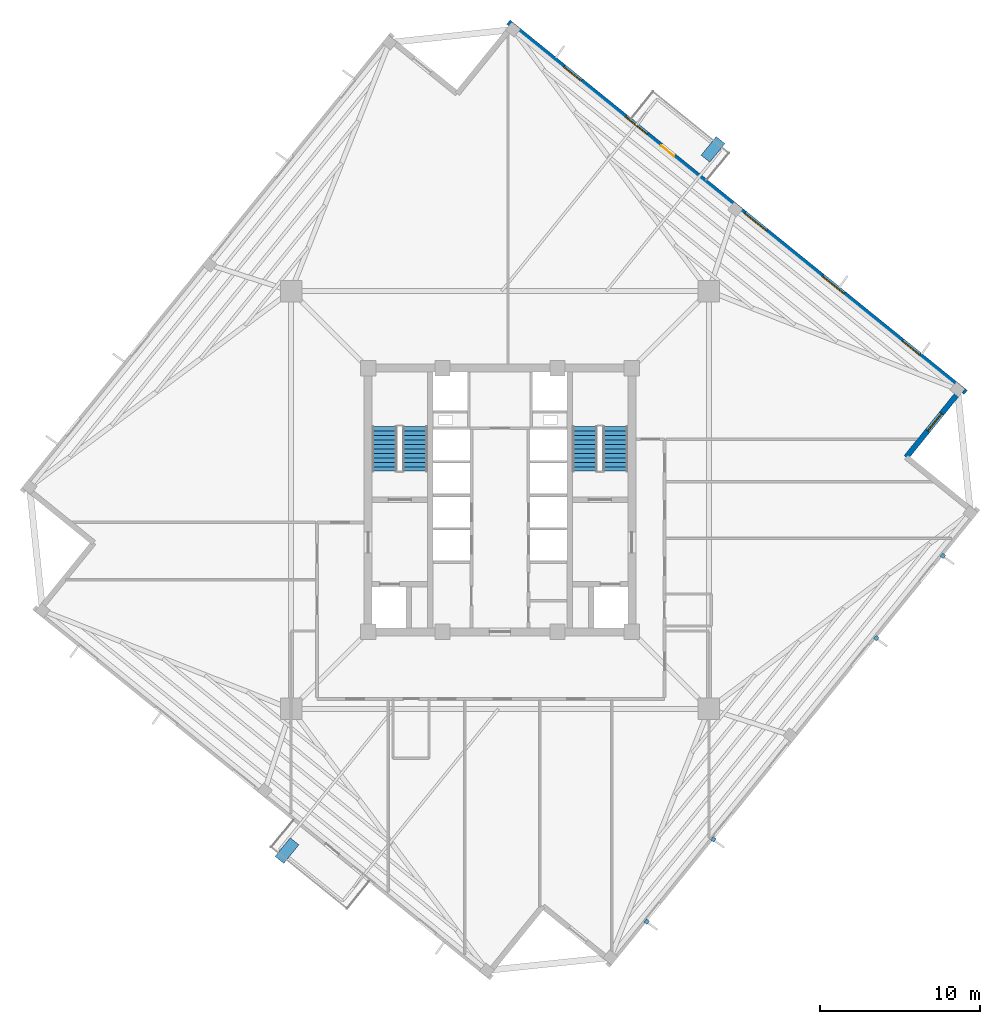
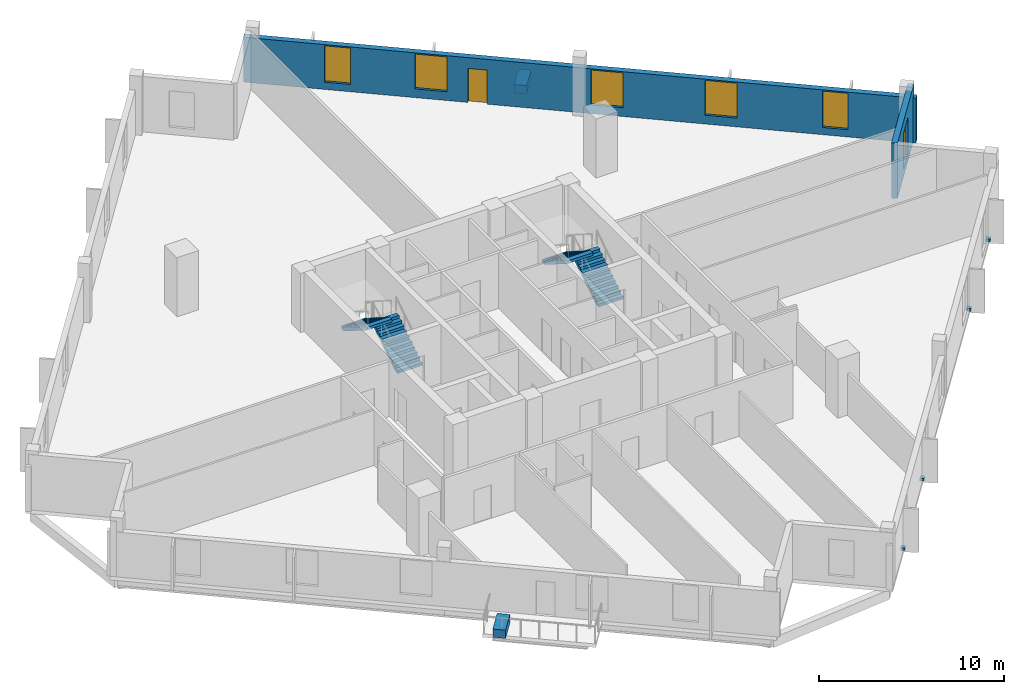
# One storey, part 6 of 10: 6 discrete accessories, 6 windows, 4 stair flights, 2 walls, 1 door, 7 openings, 2 elements without a shape of their own.
"""IFC4 building model written with IfcOpenShell, lengths in metres."""

from ifc_helpers import new_model, si_unit, direction, frame, frame_2d, origin, origin_2d, place, context, subcontext, project, spatial, polyline, rectangle, outline, extrude, source, transform, mapped, material, layer, layer_set, type_object, element, fill, aggregate, save


model = new_model("IFC4")

# Units and contexts
model_context = context("Model", 3, precision=1e-05, world=origin(), true_north=direction((0.0, 1.0)))
body_context = subcontext(model_context, "Body", "Model", "MODEL_VIEW")
ifc_project = project(units=[si_unit("LENGTHUNIT", "METRE"), si_unit("AREAUNIT", "SQUARE_METRE"), si_unit("VOLUMEUNIT", "CUBIC_METRE"), si_unit("PLANEANGLEUNIT", "RADIAN"), si_unit("MASSUNIT", "GRAM", prefix="KILO"), si_unit("THERMODYNAMICTEMPERATUREUNIT", "KELVIN")], contexts=[model_context])

# Site, building, storey
site_placement = place(None, origin())
site = spatial("IfcSite", under=ifc_project, at=site_placement, CompositionType="ELEMENT")
building_placement = place(site_placement, origin())
building = spatial("IfcBuilding", under=site, at=building_placement, Name="Kosmvard Interchange Tower", CompositionType="ELEMENT")
storey_placement = place(building_placement, frame((0.0, 0.0, 205.60009765625)))
storey = spatial("IfcBuildingStorey", under=building, at=storey_placement, Name="L49", CompositionType="ELEMENT", Elevation=205.60009765625)

# Wall, opening, window
ifc_material_1 = material(Name="Precast concrete C45/55", Category="concrete")
ifc_layer = layer(ifc_material_1, 0.340087890625, Name="Precast concrete C45/55")
ifc_layer_set = layer_set([ifc_layer], Name="Precast concrete C45/55")
wall_type = type_object("IfcWallType", Name="Mid Tower Precast Pier Wall 340 C45/55", PredefinedType="STANDARD", material=ifc_layer_set)
wall_1_placement = place(storey_placement, frame((25.428955078125, 2.672607421875, 0.0), z_axis=(0.0, 0.0, 1.0), x_axis=(0.629299794138, 0.777162640055, 0.0)))
wall_1 = element("IfcWall", 1, at=wall_1_placement, inside=storey, type_object=wall_type, Name="L49 Precast Facade Wall N-SE2", PredefinedType="STANDARD", context=body_context, shape_type="SweptSolid", body=[
    extrude(rectangle(XDim=5.669921875, YDim=0.340087890625, at=frame_2d((2.8349609375, 0.0))), origin(), (0.0, 0.0, 1.0), 3.659912109375),
])
opening_1_placement = place(wall_1_placement, frame((2.135009765625, 0.0, 0.47998046875)))
opening_1 = element("IfcOpeningElement", 2, at=opening_1_placement, cuts=wall_1, Name="Opening L49-W21", PredefinedType="OPENING", context=body_context, shape_type="SweptSolid", body=[
    extrude(rectangle(XDim=1.39990234375, YDim=2.39990234375, at=frame_2d((0.699951171875, 1.199951171875))), frame((0.0, 0.18017578125, 0.0), z_axis=(0.0, -1.0, 0.0), x_axis=(1.0, 0.0, 0.0)), (0.0, 0.0, 1.0), 0.360107421875),
])
ifc_material_2 = material(Name="Low-E solar-control double glazing", Category="glass")
window_type_1 = type_object("IfcWindowType", Name="Notched Corner Feature Window 1400x2400", PartitioningType="SINGLE_PANEL", PredefinedType="WINDOW", material=ifc_material_2)
shared_shape_1 = source(origin(), body_context, "Body", "SweptSolid", [
    extrude(rectangle(XDim=1.39990234375, YDim=2.39990234375, at=frame_2d((0.699951171875, 1.199951171875))), frame((0.0, 0.030029296875, 0.0), z_axis=(0.0, -1.0, 0.0), x_axis=(1.0, 0.0, 0.0)), (0.0, 0.0, 1.0), 0.06005859375),
])
window_1_placement = place(opening_1_placement, origin())
window_1 = element("IfcWindow", 3, at=window_1_placement, inside=storey, type_object=window_type_1, Name="L49 Corner Notch Window 21", OverallHeight=2.39990234375, OverallWidth=1.39990234375, PartitioningType="SINGLE_PANEL", PredefinedType="WINDOW", context=body_context, shape_type="MappedRepresentation", body=[
    mapped(shared_shape_1, transform((0.0, 0.0, 0.0), scale=1.0)),
])
fill(opening_1, window_1)

# Wall, openings, door, windows
wall_2_placement = place(storey_placement, frame((29.154296875, 6.73291015625, 0.0), z_axis=(0.0, 0.0, 1.0), x_axis=(-0.77714192302, 0.629325378072, 0.0)))
wall_2 = element("IfcWall", 4, at=wall_2_placement, inside=storey, type_object=wall_type, Name="L49 Precast Facade Wall F-E", PredefinedType="STANDARD", context=body_context, shape_type="SweptSolid", body=[
    extrude(rectangle(XDim=36.840087890625, YDim=0.340087890625, at=frame_2d((18.419921875, 0.0))), origin(), (0.0, 0.0, 1.0), 2.9599609375),
])
opening_2_placement = place(wall_2_placement, frame((23.4951171875, 0.0, 0.0)))
opening_2 = element("IfcOpeningElement", 5, at=opening_2_placement, cuts=wall_2, Name="Opening L49-BDE", PredefinedType="OPENING", context=body_context, shape_type="SweptSolid", body=[
    extrude(rectangle(XDim=1.050048828125, YDim=2.25, at=frame_2d((0.52490234375, 1.125))), frame((0.0, 0.18017578125, 0.0), z_axis=(0.0, -1.0, 0.0), x_axis=(1.0, 0.0, 0.0)), (0.0, 0.0, 1.0), 0.360107421875),
])
opening_3_placement = place(wall_2_placement, frame((3.720703125, 0.0, 0.47998046875)))
opening_3 = element("IfcOpeningElement", 6, at=opening_3_placement, cuts=wall_2, Name="Opening L49-W06", PredefinedType="OPENING", context=body_context, shape_type="SweptSolid", body=[
    extrude(rectangle(XDim=1.39990234375, YDim=2.39990234375, at=frame_2d((0.699951171875, 1.199951171875))), frame((0.0, 0.18017578125, 0.0), z_axis=(0.0, -1.0, 0.0), x_axis=(1.0, 0.0, 0.0)), (0.0, 0.0, 1.0), 0.360107421875),
])
opening_4_placement = place(wall_2_placement, frame((9.80859375, 0.0, 0.580078125)))
opening_4 = element("IfcOpeningElement", 7, at=opening_4_placement, cuts=wall_2, Name="Opening L49-W07", PredefinedType="OPENING", context=body_context, shape_type="SweptSolid", body=[
    extrude(rectangle(XDim=1.75, YDim=2.300048828125, at=frame_2d((0.875, 1.14990234375))), frame((0.0, 0.18017578125, 0.0), z_axis=(0.0, -1.0, 0.0), x_axis=(1.0, 0.0, 0.0)), (0.0, 0.0, 1.0), 0.360107421875),
])
opening_5_placement = place(wall_2_placement, frame((16.05810546875, 0.0, 0.580078125)))
opening_5 = element("IfcOpeningElement", 8, at=opening_5_placement, cuts=wall_2, Name="Opening L49-W08", PredefinedType="OPENING", context=body_context, shape_type="SweptSolid", body=[
    extrude(rectangle(XDim=1.75, YDim=2.300048828125, at=frame_2d((0.875, 1.14990234375))), frame((0.0, 0.18017578125, 0.0), z_axis=(0.0, -1.0, 0.0), x_axis=(1.0, 0.0, 0.0)), (0.0, 0.0, 1.0), 0.360107421875),
])
opening_6_placement = place(wall_2_placement, frame((25.67626953125, 0.0, 0.580078125)))
opening_6 = element("IfcOpeningElement", 9, at=opening_6_placement, cuts=wall_2, Name="Opening L49-W09", PredefinedType="OPENING", context=body_context, shape_type="SweptSolid", body=[
    extrude(rectangle(XDim=1.75, YDim=2.300048828125, at=frame_2d((0.875, 1.14990234375))), frame((0.0, 0.18017578125, 0.0), z_axis=(0.0, -1.0, 0.0), x_axis=(1.0, 0.0, 0.0)), (0.0, 0.0, 1.0), 0.360107421875),
])
opening_7_placement = place(wall_2_placement, frame((30.982421875, 0.0, 0.47998046875)))
opening_7 = element("IfcOpeningElement", 10, at=opening_7_placement, cuts=wall_2, Name="Opening L49-W10", PredefinedType="OPENING", context=body_context, shape_type="SweptSolid", body=[
    extrude(rectangle(XDim=1.39990234375, YDim=2.39990234375, at=frame_2d((0.699951171875, 1.199951171875))), frame((0.0, 0.18017578125, 0.0), z_axis=(0.0, -1.0, 0.0), x_axis=(1.0, 0.0, 0.0)), (0.0, 0.0, 1.0), 0.360107421875),
])
ifc_material_3 = material(Name="Anodised aluminium and safety glass", Category="aluminium")
door_type = type_object("IfcDoorType", Name="Tree-Balcony Glazed Door 1050x2250", OperationType="NOTDEFINED", PredefinedType="DOOR", material=ifc_material_3)
shared_shape_2 = source(origin(), body_context, "Body", "SweptSolid", [
    extrude(rectangle(XDim=1.050048828125, YDim=2.25, at=frame_2d((0.52490234375, 1.125))), frame((0.0, 0.02490234375, 0.0), z_axis=(0.0, -1.0, 0.0), x_axis=(1.0, 0.0, 0.0)), (0.0, 0.0, 1.0), 0.050048828125),
])
door_placement = place(opening_2_placement, origin())
door = element("IfcDoor", 11, at=door_placement, inside=storey, type_object=door_type, Name="L49 Tree-Balcony Door BAL-L49-E", OperationType="SINGLE_SWING_RIGHT", OverallHeight=2.25, OverallWidth=1.050048828125, PredefinedType="DOOR", context=body_context, shape_type="MappedRepresentation", body=[
    mapped(shared_shape_2, transform((0.0, 0.0, 0.0), scale=1.0)),
])
fill(opening_2, door)
window_2_placement = place(opening_3_placement, origin())
window_2 = element("IfcWindow", 12, at=window_2_placement, inside=storey, type_object=window_type_1, Name="L49 Facade Punched Window 06", OverallHeight=2.39990234375, OverallWidth=1.39990234375, PartitioningType="SINGLE_PANEL", PredefinedType="WINDOW", context=body_context, shape_type="MappedRepresentation", body=[
    mapped(shared_shape_1, transform((0.0, 0.0, 0.0), scale=1.0)),
])
fill(opening_3, window_2)
window_3_placement = place(opening_7_placement, origin())
window_3 = element("IfcWindow", 13, at=window_3_placement, inside=storey, type_object=window_type_1, Name="L49 Facade Punched Window 10", OverallHeight=2.39990234375, OverallWidth=1.39990234375, PartitioningType="SINGLE_PANEL", PredefinedType="WINDOW", context=body_context, shape_type="MappedRepresentation", body=[
    mapped(shared_shape_1, transform((0.0, 0.0, 0.0), scale=1.0)),
])
fill(opening_7, window_3)
window_type_2 = type_object("IfcWindowType", Name="Zone 4 Suite Punched Window 1750x2300", PartitioningType="SINGLE_PANEL", PredefinedType="WINDOW", material=ifc_material_2)
shared_shape_3 = source(origin(), body_context, "Body", "SweptSolid", [
    extrude(rectangle(XDim=1.75, YDim=2.300048828125, at=frame_2d((0.875, 1.14990234375))), frame((0.0, 0.030029296875, 0.0), z_axis=(0.0, -1.0, 0.0), x_axis=(1.0, 0.0, 0.0)), (0.0, 0.0, 1.0), 0.06005859375),
])
window_4_placement = place(opening_4_placement, origin())
window_4 = element("IfcWindow", 14, at=window_4_placement, inside=storey, type_object=window_type_2, Name="L49 Facade Punched Window 07", OverallHeight=2.300048828125, OverallWidth=1.75, PartitioningType="SINGLE_PANEL", PredefinedType="WINDOW", context=body_context, shape_type="MappedRepresentation", body=[
    mapped(shared_shape_3, transform((0.0, 0.0, 0.0), scale=1.0)),
])
fill(opening_4, window_4)
window_5_placement = place(opening_5_placement, origin())
window_5 = element("IfcWindow", 15, at=window_5_placement, inside=storey, type_object=window_type_2, Name="L49 Facade Punched Window 08", OverallHeight=2.300048828125, OverallWidth=1.75, PartitioningType="SINGLE_PANEL", PredefinedType="WINDOW", context=body_context, shape_type="MappedRepresentation", body=[
    mapped(shared_shape_3, transform((0.0, 0.0, 0.0), scale=1.0)),
])
fill(opening_5, window_5)
window_6_placement = place(opening_6_placement, origin())
window_6 = element("IfcWindow", 16, at=window_6_placement, inside=storey, type_object=window_type_2, Name="L49 Facade Punched Window 09", OverallHeight=2.300048828125, OverallWidth=1.75, PartitioningType="SINGLE_PANEL", PredefinedType="WINDOW", context=body_context, shape_type="MappedRepresentation", body=[
    mapped(shared_shape_3, transform((0.0, 0.0, 0.0), scale=1.0)),
])
fill(opening_6, window_6)

# Stair, stair flights
ifc_material_4 = material(Name="Concrete C50/60", Category="concrete")
stair_type = type_object("IfcStairType", Name="Dog-Leg Core Exit Stair H3900 C50/60", PredefinedType="HALF_TURN_STAIR", material=ifc_material_4)
stair_1_placement = place(storey_placement, origin())
stair_1 = element("IfcStair", 17, at=stair_1_placement, inside=storey, type_object=stair_type, Name="L49 Protected Exit Stair ST-1", PredefinedType="HALF_TURN_STAIR")
stair_flight_type = type_object("IfcStairFlightType", Name="Core Stair Flight W1550 H3900 C50/60", PredefinedType="STRAIGHT", material=ifc_material_4)
shared_shape_4 = source(origin(), body_context, "Body", "SweptSolid", [
    extrude(outline(polyline([(0.0, 0.0), (0.0, 0.17724609375), (0.280029296875, 0.17724609375), (0.280029296875, 0.3544921875), (0.56005859375, 0.3544921875), (0.56005859375, 0.53173828125), (0.840087890625, 0.53173828125), (0.840087890625, 0.708984375), (1.1201171875, 0.708984375), (1.1201171875, 0.886474609375), (1.39990234375, 0.886474609375), (1.39990234375, 1.063720703125), (1.679931640625, 1.063720703125), (1.679931640625, 1.240966796875), (1.9599609375, 1.240966796875), (1.9599609375, 1.418212890625), (2.239990234375, 1.418212890625), (2.239990234375, 1.595458984375), (2.52001953125, 1.595458984375), (2.52001953125, 1.772705078125), (2.800048828125, 1.772705078125), (2.800048828125, 1.949951171875), (2.800048828125, 1.58349609375), (0.298828125, 0.0), (0.0, 0.0)])), frame((0.0, 0.77490234375, 0.0), z_axis=(0.0, -1.0, 0.0), x_axis=(1.0, 0.0, 0.0)), (0.0, 0.0, 1.0), 1.550048828125),
])
stair_flight_1_placement = place(storey_placement, frame((-5.31494140625, 1.800048828125, 0.0), z_axis=(0.0, 0.0, 1.0), x_axis=(0.0, 1.0, 0.0)))
stair_flight_1 = element("IfcStairFlight", 18, at=stair_flight_1_placement, type_object=stair_flight_type, Name="ST-1 flight 1", NumberOfRisers=11, NumberOfTreads=10, PredefinedType="STRAIGHT", RiserHeight=0.177272727, TreadLength=0.28, context=body_context, shape_type="MappedRepresentation", body=[
    mapped(shared_shape_4, transform((0.0, 0.0, 0.0), scale=1.0)),
])
stair_flight_2_placement = place(storey_placement, frame((-7.22509765625, 4.60009765625, 1.949951171875), z_axis=(0.0, 0.0, 1.0), x_axis=(0.0, -1.0, 0.0)))
stair_flight_2 = element("IfcStairFlight", 19, at=stair_flight_2_placement, type_object=stair_flight_type, Name="ST-1 flight 2", NumberOfRisers=11, NumberOfTreads=10, PredefinedType="STRAIGHT", RiserHeight=0.177272727, TreadLength=0.28, context=body_context, shape_type="MappedRepresentation", body=[
    mapped(shared_shape_4, transform((0.0, 0.0, 0.0), scale=1.0)),
])
aggregate(stair_1, [stair_flight_1, stair_flight_2])

stair_2_placement = place(storey_placement, origin())
stair_2 = element("IfcStair", 20, at=stair_2_placement, inside=storey, type_object=stair_type, Name="L49 Protected Exit Stair ST-2", PredefinedType="HALF_TURN_STAIR")
stair_flight_3_placement = place(storey_placement, frame((7.22509765625, 1.800048828125, 0.0), z_axis=(0.0, 0.0, 1.0), x_axis=(0.0, 1.0, 0.0)))
stair_flight_3 = element("IfcStairFlight", 21, at=stair_flight_3_placement, type_object=stair_flight_type, Name="ST-2 flight 1", NumberOfRisers=11, NumberOfTreads=10, PredefinedType="STRAIGHT", RiserHeight=0.177272727, TreadLength=0.28, context=body_context, shape_type="MappedRepresentation", body=[
    mapped(shared_shape_4, transform((0.0, 0.0, 0.0), scale=1.0)),
])
stair_flight_4_placement = place(storey_placement, frame((5.31494140625, 4.60009765625, 1.949951171875), z_axis=(0.0, 0.0, 1.0), x_axis=(0.0, -1.0, 0.0)))
stair_flight_4 = element("IfcStairFlight", 22, at=stair_flight_4_placement, type_object=stair_flight_type, Name="ST-2 flight 2", NumberOfRisers=11, NumberOfTreads=10, PredefinedType="STRAIGHT", RiserHeight=0.177272727, TreadLength=0.28, context=body_context, shape_type="MappedRepresentation", body=[
    mapped(shared_shape_4, transform((0.0, 0.0, 0.0), scale=1.0)),
])
aggregate(stair_2, [stair_flight_3, stair_flight_4])

# Discrete accessories
ifc_material_5 = material(Name="Terracotta precast planter concrete C45/55", Category="masonry")
discrete_accessory_type_1 = type_object("IfcDiscreteAccessoryType", Name="Precast Tree-Balcony & Terrace Planter Box", PredefinedType="USERDEFINED", material=ifc_material_5)
shared_shape_5 = source(origin(), body_context, "Body", "SweptSolid", [
    extrude(rectangle(XDim=1.5, YDim=0.699951171875, at=origin_2d()), origin(), (0.0, 0.0, 1.0), 0.550048828125),
])
for number, where, z_axis, x_axis, name in (
    (23, (13.3349609375, 21.949462890625, 0.0), (0.0, 0.0, 1.0), (0.62932039105, 0.777145961457, 0.0), "L49 Balcony Tree Planter BAL-L49-E"),
    (24, (-13.3349609375, -21.949462890625, 0.0), (0.0, 0.0, 1.0), (0.62932039105, 0.777145961457, 0.0), "L49 Balcony Tree Planter BAL-L49-W"),
):
    element("IfcDiscreteAccessory", number, at=place(storey_placement, frame(where, z_axis=z_axis, x_axis=x_axis)), inside=storey, type_object=discrete_accessory_type_1, Name=name, ObjectType="PLANTER", PredefinedType="USERDEFINED", context=body_context, shape_type="MappedRepresentation", body=[
        mapped(shared_shape_5, transform((0.0, 0.0, 0.0), scale=1.0)),
    ])
ifc_material_6 = material(Name="Steel S355", Category="steel")
discrete_accessory_type_2 = type_object("IfcDiscreteAccessoryType", Name="Facade Fin Structural Cleat Bracket", PredefinedType="BRACKET", material=ifc_material_6)
shared_shape_6 = source(origin(), body_context, "Body", "SweptSolid", [
    extrude(rectangle(XDim=0.239990234375, YDim=0.260009765625, at=origin_2d()), origin(), (0.0, 0.0, 1.0), 0.179931640625),
])
for number, where, z_axis, x_axis, name in (
    (25, (9.18359375, -26.3984375, 0.16015625), (0.0, 0.0, 1.0), (0.777146167973, -0.629320136024, 0.0), "L49 Sun-Breaker Anchor Bracket 01"),
    (26, (13.356689453125, -21.244873046875, 0.16015625), (0.0, 0.0, 1.0), (0.777146167973, -0.629320136024, 0.0), "L49 Sun-Breaker Anchor Bracket 02"),
    (27, (23.5576171875, -8.647705078125, 0.16015625), (0.0, 0.0, 1.0), (0.777146167973, -0.629320136024, 0.0), "L49 Sun-Breaker Anchor Bracket 03"),
    (28, (27.73095703125, -3.494384765625, 0.16015625), (0.0, 0.0, 1.0), (0.777146167973, -0.629320136024, 0.0), "L49 Sun-Breaker Anchor Bracket 04"),
):
    element("IfcDiscreteAccessory", number, at=place(storey_placement, frame(where, z_axis=z_axis, x_axis=x_axis)), inside=storey, type_object=discrete_accessory_type_2, Name=name, PredefinedType="BRACKET", context=body_context, shape_type="MappedRepresentation", body=[
        mapped(shared_shape_6, transform((0.0, 0.0, 0.0), scale=1.0)),
    ])

save(model, "model.ifc")
